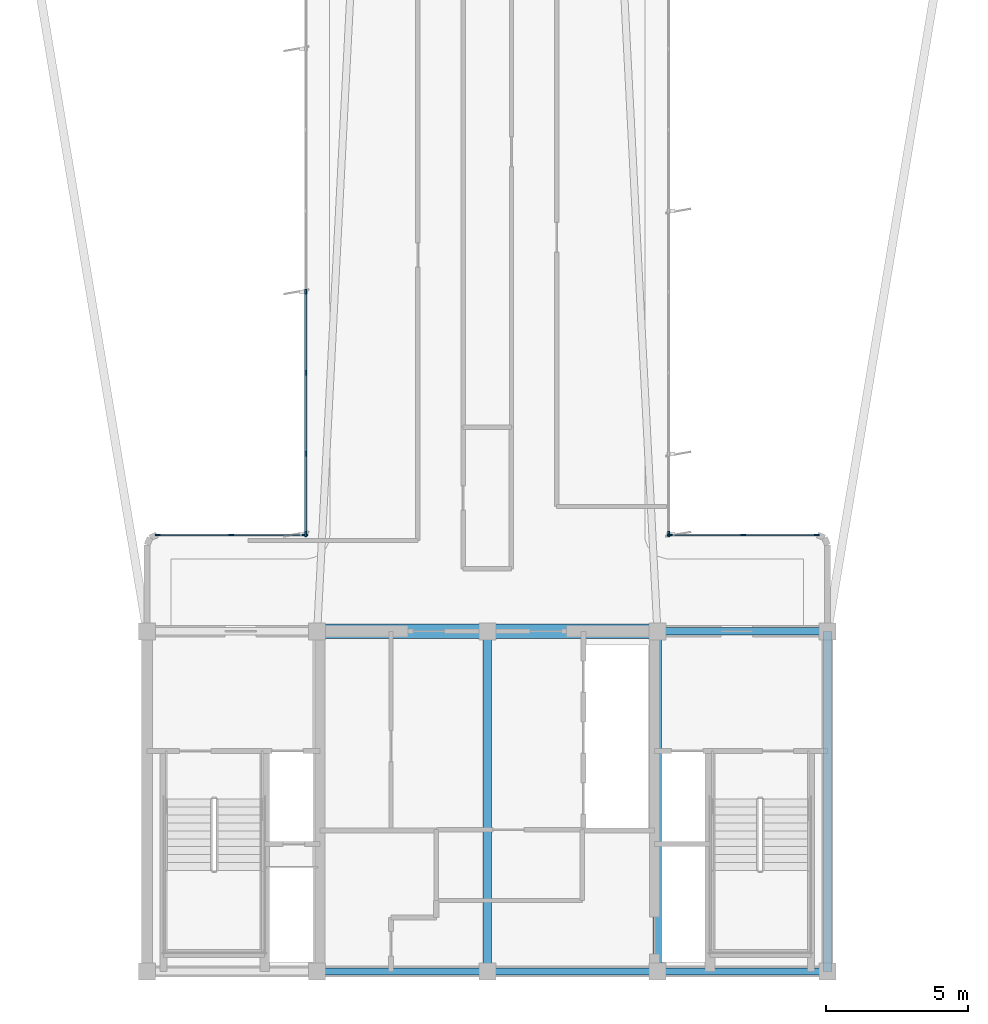
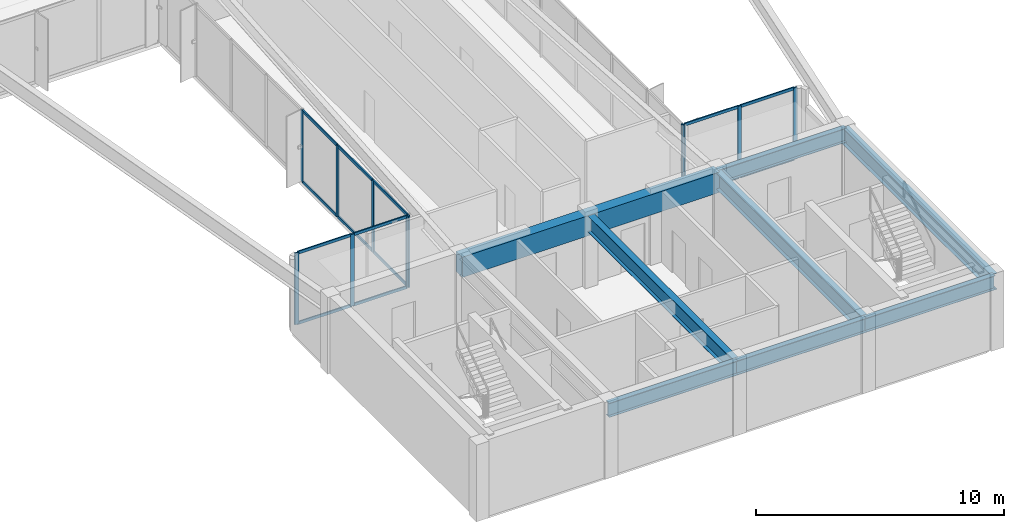
# One storey, part 2 of 16: 25 members, 8 beams, 4 elements without a shape of their own.
"""IFC4 building model written with IfcOpenShell, lengths in metres."""

from ifc_helpers import new_model, si_unit, direction, frame, origin, origin_2d, place, context, subcontext, project, spatial, rectangle, i_section, extrude, source, transform, mapped, material, layer, layer_set, material_profile, profile_set, type_object, element, aggregate, save


model = new_model("IFC4")

# Units and contexts
model_context = context("Model", 3, precision=1e-05, world=origin(), true_north=direction((0.0, 1.0)))
body_context = subcontext(model_context, "Body", "Model", "MODEL_VIEW")
ifc_project = project(units=[si_unit("LENGTHUNIT", "METRE"), si_unit("AREAUNIT", "SQUARE_METRE"), si_unit("VOLUMEUNIT", "CUBIC_METRE"), si_unit("PLANEANGLEUNIT", "RADIAN"), si_unit("MASSUNIT", "GRAM", prefix="KILO")], contexts=[model_context])

# Site, building, storey
site_placement = place(None, origin())
site = spatial("IfcSite", under=ifc_project, at=site_placement, CompositionType="ELEMENT")
building_placement = place(site_placement, origin())
building = spatial("IfcBuilding", under=site, at=building_placement, Name="Brelvock Crest Care Tower", CompositionType="ELEMENT")
storey_placement = place(building_placement, frame((0.0, 0.0, 226.800048828125)))
storey = spatial("IfcBuildingStorey", under=building, at=storey_placement, Name="L57", CompositionType="ELEMENT", Elevation=226.800048828125)

# Beams
ifc_material_1 = material(Name="Steel Grade 350", Category="steel")
ifc_material_profile_1 = material_profile(ifc_material_1, i_section(OverallWidth=0.25, OverallDepth=0.699951171875, WebThickness=0.011962890625, FlangeThickness=0.02001953125, at=origin_2d()), Name="700WB150")
ifc_profile_set_1 = profile_set([ifc_material_profile_1], Name="Steel Grade 350")
beam_type_1 = type_object("IfcBeamType", Name="BM-G4", PredefinedType="BEAM", material=ifc_profile_set_1)
shared_shape_1 = source(origin(), body_context, "Body", "SweptSolid", [
    extrude(i_section(OverallWidth=0.25, OverallDepth=0.699951171875, WebThickness=0.011962890625, FlangeThickness=0.02001953125, at=origin_2d()), origin(), (0.0, 0.0, 1.0), 6.0),
])
for number, where, z_axis, x_axis, name in (
    (1, (30.0, 6.0, 3.179931640625), (1.0, 0.0, 0.0), (0.0, 1.0, 0.0), "BM-CORES-L57-2"),
    (2, (36.0, 6.0, 3.179931640625), (1.0, 0.0, 0.0), (0.0, 1.0, 0.0), "BM-CORES-L57-3"),
    (3, (42.0, 6.0, 3.179931640625), (1.0, 0.0, 0.0), (0.0, 1.0, 0.0), "BM-CORES-L57-4"),
    (4, (42.0, 18.0, 3.179931640625), (1.0, 0.0, 0.0), (0.0, 1.0, 0.0), "BM-COREN-L57-4"),
):
    element("IfcBeam", number, at=place(storey_placement, frame(where, z_axis=z_axis, x_axis=x_axis)), inside=storey, type_object=beam_type_1, Name=name, PredefinedType="BEAM", context=body_context, shape_type="MappedRepresentation", body=[
        mapped(shared_shape_1, transform((0.0, 0.0, 0.0), x_axis=(1.0, 0.0, 0.0), y_axis=(0.0, 1.0, 0.0), z_axis=(0.0, 0.0, 1.0), scale=1.0)),
    ])
ifc_material_profile_2 = material_profile(ifc_material_1, i_section(OverallWidth=0.300048828125, OverallDepth=0.800048828125, WebThickness=0.013916015625, FlangeThickness=0.02197265625, at=origin_2d()), Name="800WB192")
ifc_profile_set_2 = profile_set([ifc_material_profile_2], Name="Steel Grade 350")
beam_type_2 = type_object("IfcBeamType", Name="BM-G5", PredefinedType="BEAM", material=ifc_profile_set_2)
shared_shape_2 = source(origin(), body_context, "Body", "SweptSolid", [
    extrude(i_section(OverallWidth=0.300048828125, OverallDepth=0.800048828125, WebThickness=0.013916015625, FlangeThickness=0.02197265625, at=origin_2d()), origin(), (0.0, 0.0, 1.0), 12.0),
])
for number, where, z_axis, x_axis, name in (
    (5, (36.0, 6.0, 3.1298828125), (0.0, 1.0, 0.0), (-1.0, 0.0, 0.0), "BM-COREX-L57-3"),
    (6, (42.0, 6.0, 3.1298828125), (0.0, 1.0, 0.0), (-1.0, 0.0, 0.0), "BM-COREX-L57-4"),
    (7, (48.0, 6.0, 3.1298828125), (0.0, 1.0, 0.0), (-1.0, 0.0, 0.0), "BM-COREX-L57-5"),
):
    element("IfcBeam", number, at=place(storey_placement, frame(where, z_axis=z_axis, x_axis=x_axis)), inside=storey, type_object=beam_type_2, Name=name, PredefinedType="BEAM", context=body_context, shape_type="MappedRepresentation", body=[
        mapped(shared_shape_2, transform((0.0, 0.0, 0.0), x_axis=(1.0, 0.0, 0.0), y_axis=(0.0, 1.0, 0.0), z_axis=(0.0, 0.0, 1.0), scale=1.0)),
    ])
ifc_material_2 = material(Name="Concrete S65 (65 MPa)", Category="concrete")
ifc_material_profile_3 = material_profile(ifc_material_2, rectangle(XDim=0.5, YDim=1.0, at=origin_2d()), Name="RC500x1000")
ifc_profile_set_3 = profile_set([ifc_material_profile_3], Name="Concrete S65 (65 MPa)")
beam_type_3 = type_object("IfcBeamType", Name="BM-LN2", PredefinedType="LINTEL", material=ifc_profile_set_3)
shared_shape_3 = source(origin(), body_context, "Body", "SweptSolid", [
    extrude(rectangle(XDim=0.5, YDim=1.0, at=origin_2d()), origin(), (0.0, 0.0, 1.0), 12.0),
])
beam_placement = place(storey_placement, frame((30.0, 18.0, 3.030029296875), z_axis=(1.0, 0.0, 0.0), x_axis=(0.0, 1.0, 0.0)))
element("IfcBeam", 8, at=beam_placement, inside=storey, type_object=beam_type_3, Name="L57 Core Coupling Lintel Beam", PredefinedType="LINTEL", context=body_context, shape_type="MappedRepresentation", body=[
    mapped(shared_shape_3, transform((0.0, 0.0, 0.0), x_axis=(1.0, 0.0, 0.0), y_axis=(0.0, 1.0, 0.0), z_axis=(0.0, 0.0, 1.0), scale=1.0)),
])

# Curtain wall, members
ifc_material_3 = material(Name="Dark Glass Double Glazed Low-E", Category="glass")
ifc_layer = layer(ifc_material_3, 0.239990234375, Name="CWS-5")
ifc_layer_set = layer_set([ifc_layer], Name="Dark Glass Double Glazed Low-E")
curtain_wall_type = type_object("IfcCurtainWallType", Name="CWS-5", PredefinedType="NOTDEFINED", material=ifc_layer_set)
curtain_wall_1_placement = place(storey_placement, origin())
curtain_wall_1 = element("IfcCurtainWall", 9, at=curtain_wall_1_placement, inside=storey, type_object=curtain_wall_type, Name="L57 Curtain Wall E10", PredefinedType="NOTDEFINED")
ifc_material_4 = material(Name="Aluminium 6063-T6", Category="aluminium")
ifc_material_profile_4 = material_profile(ifc_material_4, rectangle(XDim=0.06005859375, YDim=0.179931640625, at=origin_2d()), Name="ALU60x180")
ifc_profile_set_4 = profile_set([ifc_material_profile_4], Name="Aluminium 6063-T6")
member_type_1 = type_object("IfcMemberType", Name="CWM-2", PredefinedType="MULLION", material=ifc_profile_set_4)
shared_shape_4 = source(origin(), body_context, "Body", "SweptSolid", [
    extrude(rectangle(XDim=0.06005859375, YDim=0.179931640625, at=origin_2d()), origin(), (0.0, 0.0, 1.0), 3.530029296875),
])
member_1_placement = place(storey_placement, frame((24.3798828125, 21.39990234375, 0.0), z_axis=(0.0, 0.0, 1.0), x_axis=(0.0, 1.0, 0.0)))
member_1 = element("IfcMember", 10, at=member_1_placement, type_object=member_type_1, Name="CW-5 mullion 1", PredefinedType="MULLION", context=body_context, shape_type="MappedRepresentation", body=[
    mapped(shared_shape_4, transform((0.0, 0.0, 0.0), x_axis=(1.0, 0.0, 0.0), y_axis=(0.0, 1.0, 0.0), z_axis=(0.0, 0.0, 1.0), scale=1.0)),
])
member_2_placement = place(storey_placement, frame((26.97509765625, 21.39990234375, 0.0), z_axis=(0.0, 0.0, 1.0), x_axis=(0.0, 1.0, 0.0)))
member_2 = element("IfcMember", 11, at=member_2_placement, type_object=member_type_1, Name="CW-5 mullion 2", PredefinedType="MULLION", context=body_context, shape_type="MappedRepresentation", body=[
    mapped(shared_shape_4, transform((0.0, 0.0, 0.0), x_axis=(1.0, 0.0, 0.0), y_axis=(0.0, 1.0, 0.0), z_axis=(0.0, 0.0, 1.0), scale=1.0)),
])
member_3_placement = place(storey_placement, frame((29.570068359375, 21.39990234375, 0.0), z_axis=(0.0, 0.0, 1.0), x_axis=(0.0, 1.0, 0.0)))
member_3 = element("IfcMember", 12, at=member_3_placement, type_object=member_type_1, Name="CW-5 mullion 3", PredefinedType="MULLION", context=body_context, shape_type="MappedRepresentation", body=[
    mapped(shared_shape_4, transform((0.0, 0.0, 0.0), x_axis=(1.0, 0.0, 0.0), y_axis=(0.0, 1.0, 0.0), z_axis=(0.0, 0.0, 1.0), scale=1.0)),
])

curtain_wall_2_placement = place(storey_placement, origin())
curtain_wall_2 = element("IfcCurtainWall", 13, at=curtain_wall_2_placement, inside=storey, type_object=curtain_wall_type, Name="L57 Curtain Wall E11", PredefinedType="NOTDEFINED")
member_4_placement = place(storey_placement, frame((29.60009765625, 21.429931640625, 0.0), z_axis=(0.0, 0.0, 1.0), x_axis=(-1.0, 0.0, 0.0)))
member_4 = element("IfcMember", 14, at=member_4_placement, type_object=member_type_1, Name="CW-5 mullion 1", PredefinedType="MULLION", context=body_context, shape_type="MappedRepresentation", body=[
    mapped(shared_shape_4, transform((0.0, 0.0, 0.0), x_axis=(1.0, 0.0, 0.0), y_axis=(0.0, 1.0, 0.0), z_axis=(0.0, 0.0, 1.0), scale=1.0)),
])
member_5_placement = place(storey_placement, frame((29.60009765625, 24.257080078125, 0.0), z_axis=(0.0, 0.0, 1.0), x_axis=(-1.0, 0.0, 0.0)))
member_5 = element("IfcMember", 15, at=member_5_placement, type_object=member_type_1, Name="CW-5 mullion 2", PredefinedType="MULLION", context=body_context, shape_type="MappedRepresentation", body=[
    mapped(shared_shape_4, transform((0.0, 0.0, 0.0), x_axis=(1.0, 0.0, 0.0), y_axis=(0.0, 1.0, 0.0), z_axis=(0.0, 0.0, 1.0), scale=1.0)),
])
member_6_placement = place(storey_placement, frame((29.60009765625, 27.1142578125, 0.0), z_axis=(0.0, 0.0, 1.0), x_axis=(-1.0, 0.0, 0.0)))
member_6 = element("IfcMember", 16, at=member_6_placement, type_object=member_type_1, Name="CW-5 mullion 3", PredefinedType="MULLION", context=body_context, shape_type="MappedRepresentation", body=[
    mapped(shared_shape_4, transform((0.0, 0.0, 0.0), x_axis=(1.0, 0.0, 0.0), y_axis=(0.0, 1.0, 0.0), z_axis=(0.0, 0.0, 1.0), scale=1.0)),
])
member_7_placement = place(storey_placement, frame((29.60009765625, 29.971435546875, 0.0), z_axis=(0.0, 0.0, 1.0), x_axis=(-1.0, 0.0, 0.0)))
member_7 = element("IfcMember", 17, at=member_7_placement, type_object=member_type_1, Name="CW-5 mullion 4", PredefinedType="MULLION", context=body_context, shape_type="MappedRepresentation", body=[
    mapped(shared_shape_4, transform((0.0, 0.0, 0.0), x_axis=(1.0, 0.0, 0.0), y_axis=(0.0, 1.0, 0.0), z_axis=(0.0, 0.0, 1.0), scale=1.0)),
])

# Curtain wall, member
curtain_wall_3_placement = place(storey_placement, origin())
curtain_wall_3 = element("IfcCurtainWall", 18, at=curtain_wall_3_placement, inside=storey, type_object=curtain_wall_type, Name="L57 Curtain Wall E45", PredefinedType="NOTDEFINED")
member_8_placement = place(storey_placement, frame((42.39990234375, 21.429931640625, 0.0), z_axis=(0.0, 0.0, 1.0), x_axis=(1.0, 0.0, 0.0)))
member_8 = element("IfcMember", 19, at=member_8_placement, type_object=member_type_1, Name="CW-5 mullion 8", PredefinedType="MULLION", context=body_context, shape_type="MappedRepresentation", body=[
    mapped(shared_shape_4, transform((0.0, 0.0, 0.0), x_axis=(1.0, 0.0, 0.0), y_axis=(0.0, 1.0, 0.0), z_axis=(0.0, 0.0, 1.0), scale=1.0)),
])
aggregate(curtain_wall_3, [member_8])

# Curtain wall, members
curtain_wall_4_placement = place(storey_placement, origin())
curtain_wall_4 = element("IfcCurtainWall", 20, at=curtain_wall_4_placement, inside=storey, type_object=curtain_wall_type, Name="L57 Curtain Wall E46", PredefinedType="NOTDEFINED")
member_9_placement = place(storey_placement, frame((42.429931640625, 21.39990234375, 0.0), z_axis=(0.0, 0.0, 1.0), x_axis=(0.0, 1.0, 0.0)))
member_9 = element("IfcMember", 21, at=member_9_placement, type_object=member_type_1, Name="CW-5 mullion 1", PredefinedType="MULLION", context=body_context, shape_type="MappedRepresentation", body=[
    mapped(shared_shape_4, transform((0.0, 0.0, 0.0), x_axis=(1.0, 0.0, 0.0), y_axis=(0.0, 1.0, 0.0), z_axis=(0.0, 0.0, 1.0), scale=1.0)),
])
member_10_placement = place(storey_placement, frame((45.02490234375, 21.39990234375, 0.0), z_axis=(0.0, 0.0, 1.0), x_axis=(0.0, 1.0, 0.0)))
member_10 = element("IfcMember", 22, at=member_10_placement, type_object=member_type_1, Name="CW-5 mullion 2", PredefinedType="MULLION", context=body_context, shape_type="MappedRepresentation", body=[
    mapped(shared_shape_4, transform((0.0, 0.0, 0.0), x_axis=(1.0, 0.0, 0.0), y_axis=(0.0, 1.0, 0.0), z_axis=(0.0, 0.0, 1.0), scale=1.0)),
])
member_11_placement = place(storey_placement, frame((47.6201171875, 21.39990234375, 0.0), z_axis=(0.0, 0.0, 1.0), x_axis=(0.0, 1.0, 0.0)))
member_11 = element("IfcMember", 23, at=member_11_placement, type_object=member_type_1, Name="CW-5 mullion 3", PredefinedType="MULLION", context=body_context, shape_type="MappedRepresentation", body=[
    mapped(shared_shape_4, transform((0.0, 0.0, 0.0), x_axis=(1.0, 0.0, 0.0), y_axis=(0.0, 1.0, 0.0), z_axis=(0.0, 0.0, 1.0), scale=1.0)),
])

# Member
ifc_material_profile_5 = material_profile(ifc_material_4, rectangle(XDim=0.06005859375, YDim=0.139892578125, at=origin_2d()), Name="ALU60x140")
ifc_profile_set_5 = profile_set([ifc_material_profile_5], Name="Aluminium 6063-T6")
member_type_2 = type_object("IfcMemberType", Name="CWT-2", PredefinedType="USERDEFINED", material=ifc_profile_set_5)
shared_shape_5 = source(origin(), body_context, "Body", "SweptSolid", [
    extrude(rectangle(XDim=0.06005859375, YDim=0.139892578125, at=origin_2d()), origin(), (0.0, 0.0, 1.0), 2.53515625),
])
member_12_placement = place(storey_placement, frame((24.409912109375, 21.39990234375, 0.030029296875), z_axis=(1.0, 0.0, 0.0), x_axis=(0.0, 1.0, 0.0)))
member_12 = element("IfcMember", 24, at=member_12_placement, type_object=member_type_2, Name="CW-5 transom 1.1", ObjectType="TRANSOM", PredefinedType="USERDEFINED", context=body_context, shape_type="MappedRepresentation", body=[
    mapped(shared_shape_5, transform((0.0, 0.0, 0.0), x_axis=(1.0, 0.0, 0.0), y_axis=(0.0, 1.0, 0.0), z_axis=(0.0, 0.0, 1.0), scale=1.0)),
])

member_13_placement = place(storey_placement, frame((24.409912109375, 21.39990234375, 3.5), z_axis=(1.0, 0.0, 0.0), x_axis=(0.0, 1.0, 0.0)))
member_13 = element("IfcMember", 25, at=member_13_placement, type_object=member_type_2, Name="CW-5 transom 1.2", ObjectType="TRANSOM", PredefinedType="USERDEFINED", context=body_context, shape_type="MappedRepresentation", body=[
    mapped(shared_shape_5, transform((0.0, 0.0, 0.0), x_axis=(1.0, 0.0, 0.0), y_axis=(0.0, 1.0, 0.0), z_axis=(0.0, 0.0, 1.0), scale=1.0)),
])

member_14_placement = place(storey_placement, frame((27.0048828125, 21.39990234375, 0.030029296875), z_axis=(1.0, 0.0, 0.0), x_axis=(0.0, 1.0, 0.0)))
member_14 = element("IfcMember", 26, at=member_14_placement, type_object=member_type_2, Name="CW-5 transom 2.1", ObjectType="TRANSOM", PredefinedType="USERDEFINED", context=body_context, shape_type="MappedRepresentation", body=[
    mapped(shared_shape_5, transform((0.0, 0.0, 0.0), x_axis=(1.0, 0.0, 0.0), y_axis=(0.0, 1.0, 0.0), z_axis=(0.0, 0.0, 1.0), scale=1.0)),
])

member_15_placement = place(storey_placement, frame((27.0048828125, 21.39990234375, 3.5), z_axis=(1.0, 0.0, 0.0), x_axis=(0.0, 1.0, 0.0)))
member_15 = element("IfcMember", 27, at=member_15_placement, type_object=member_type_2, Name="CW-5 transom 2.2", ObjectType="TRANSOM", PredefinedType="USERDEFINED", context=body_context, shape_type="MappedRepresentation", body=[
    mapped(shared_shape_5, transform((0.0, 0.0, 0.0), x_axis=(1.0, 0.0, 0.0), y_axis=(0.0, 1.0, 0.0), z_axis=(0.0, 0.0, 1.0), scale=1.0)),
])

aggregate(curtain_wall_1, [member_1, member_2, member_3, member_12, member_13, member_14, member_15])

member_16_placement = place(storey_placement, frame((42.4599609375, 21.39990234375, 0.030029296875), z_axis=(1.0, 0.0, 0.0), x_axis=(0.0, 1.0, 0.0)))
member_16 = element("IfcMember", 28, at=member_16_placement, type_object=member_type_2, Name="CW-5 transom 1.1", ObjectType="TRANSOM", PredefinedType="USERDEFINED", context=body_context, shape_type="MappedRepresentation", body=[
    mapped(shared_shape_5, transform((0.0, 0.0, 0.0), x_axis=(1.0, 0.0, 0.0), y_axis=(0.0, 1.0, 0.0), z_axis=(0.0, 0.0, 1.0), scale=1.0)),
])

member_17_placement = place(storey_placement, frame((42.4599609375, 21.39990234375, 3.5), z_axis=(1.0, 0.0, 0.0), x_axis=(0.0, 1.0, 0.0)))
member_17 = element("IfcMember", 29, at=member_17_placement, type_object=member_type_2, Name="CW-5 transom 1.2", ObjectType="TRANSOM", PredefinedType="USERDEFINED", context=body_context, shape_type="MappedRepresentation", body=[
    mapped(shared_shape_5, transform((0.0, 0.0, 0.0), x_axis=(1.0, 0.0, 0.0), y_axis=(0.0, 1.0, 0.0), z_axis=(0.0, 0.0, 1.0), scale=1.0)),
])

member_18_placement = place(storey_placement, frame((45.054931640625, 21.39990234375, 0.030029296875), z_axis=(1.0, 0.0, 0.0), x_axis=(0.0, 1.0, 0.0)))
member_18 = element("IfcMember", 30, at=member_18_placement, type_object=member_type_2, Name="CW-5 transom 2.1", ObjectType="TRANSOM", PredefinedType="USERDEFINED", context=body_context, shape_type="MappedRepresentation", body=[
    mapped(shared_shape_5, transform((0.0, 0.0, 0.0), x_axis=(1.0, 0.0, 0.0), y_axis=(0.0, 1.0, 0.0), z_axis=(0.0, 0.0, 1.0), scale=1.0)),
])

member_19_placement = place(storey_placement, frame((45.054931640625, 21.39990234375, 3.5), z_axis=(1.0, 0.0, 0.0), x_axis=(0.0, 1.0, 0.0)))
member_19 = element("IfcMember", 31, at=member_19_placement, type_object=member_type_2, Name="CW-5 transom 2.2", ObjectType="TRANSOM", PredefinedType="USERDEFINED", context=body_context, shape_type="MappedRepresentation", body=[
    mapped(shared_shape_5, transform((0.0, 0.0, 0.0), x_axis=(1.0, 0.0, 0.0), y_axis=(0.0, 1.0, 0.0), z_axis=(0.0, 0.0, 1.0), scale=1.0)),
])

aggregate(curtain_wall_4, [member_9, member_10, member_11, member_16, member_17, member_18, member_19])

shared_shape_6 = source(origin(), body_context, "Body", "SweptSolid", [
    extrude(rectangle(XDim=0.06005859375, YDim=0.139892578125, at=origin_2d()), origin(), (0.0, 0.0, 1.0), 2.76708984375),
])
member_20_placement = place(storey_placement, frame((29.60009765625, 21.4599609375, 0.030029296875), z_axis=(0.0, 1.0, 0.0), x_axis=(-1.0, 0.0, 0.0)))
member_20 = element("IfcMember", 32, at=member_20_placement, type_object=member_type_2, Name="CW-5 transom 1.1", ObjectType="TRANSOM", PredefinedType="USERDEFINED", context=body_context, shape_type="MappedRepresentation", body=[
    mapped(shared_shape_6, transform((0.0, 0.0, 0.0), x_axis=(1.0, 0.0, 0.0), y_axis=(0.0, 1.0, 0.0), z_axis=(0.0, 0.0, 1.0), scale=1.0)),
])

member_21_placement = place(storey_placement, frame((29.60009765625, 21.4599609375, 3.5), z_axis=(0.0, 1.0, 0.0), x_axis=(-1.0, 0.0, 0.0)))
member_21 = element("IfcMember", 33, at=member_21_placement, type_object=member_type_2, Name="CW-5 transom 1.2", ObjectType="TRANSOM", PredefinedType="USERDEFINED", context=body_context, shape_type="MappedRepresentation", body=[
    mapped(shared_shape_6, transform((0.0, 0.0, 0.0), x_axis=(1.0, 0.0, 0.0), y_axis=(0.0, 1.0, 0.0), z_axis=(0.0, 0.0, 1.0), scale=1.0)),
])

shared_shape_7 = source(origin(), body_context, "Body", "SweptSolid", [
    extrude(rectangle(XDim=0.06005859375, YDim=0.139892578125, at=origin_2d()), origin(), (0.0, 0.0, 1.0), 2.797119140625),
])
member_22_placement = place(storey_placement, frame((29.60009765625, 24.287109375, 0.030029296875), z_axis=(0.0, 1.0, 0.0), x_axis=(-1.0, 0.0, 0.0)))
member_22 = element("IfcMember", 34, at=member_22_placement, type_object=member_type_2, Name="CW-5 transom 2.1", ObjectType="TRANSOM", PredefinedType="USERDEFINED", context=body_context, shape_type="MappedRepresentation", body=[
    mapped(shared_shape_7, transform((0.0, 0.0, 0.0), x_axis=(1.0, 0.0, 0.0), y_axis=(0.0, 1.0, 0.0), z_axis=(0.0, 0.0, 1.0), scale=1.0)),
])

member_23_placement = place(storey_placement, frame((29.60009765625, 24.287109375, 3.5), z_axis=(0.0, 1.0, 0.0), x_axis=(-1.0, 0.0, 0.0)))
member_23 = element("IfcMember", 35, at=member_23_placement, type_object=member_type_2, Name="CW-5 transom 2.2", ObjectType="TRANSOM", PredefinedType="USERDEFINED", context=body_context, shape_type="MappedRepresentation", body=[
    mapped(shared_shape_7, transform((0.0, 0.0, 0.0), x_axis=(1.0, 0.0, 0.0), y_axis=(0.0, 1.0, 0.0), z_axis=(0.0, 0.0, 1.0), scale=1.0)),
])

member_24_placement = place(storey_placement, frame((29.60009765625, 27.144287109375, 0.030029296875), z_axis=(0.0, 1.0, 0.0), x_axis=(-1.0, 0.0, 0.0)))
member_24 = element("IfcMember", 36, at=member_24_placement, type_object=member_type_2, Name="CW-5 transom 3.1", ObjectType="TRANSOM", PredefinedType="USERDEFINED", context=body_context, shape_type="MappedRepresentation", body=[
    mapped(shared_shape_7, transform((0.0, 0.0, 0.0), x_axis=(1.0, 0.0, 0.0), y_axis=(0.0, 1.0, 0.0), z_axis=(0.0, 0.0, 1.0), scale=1.0)),
])

member_25_placement = place(storey_placement, frame((29.60009765625, 27.144287109375, 3.5), z_axis=(0.0, 1.0, 0.0), x_axis=(-1.0, 0.0, 0.0)))
member_25 = element("IfcMember", 37, at=member_25_placement, type_object=member_type_2, Name="CW-5 transom 3.2", ObjectType="TRANSOM", PredefinedType="USERDEFINED", context=body_context, shape_type="MappedRepresentation", body=[
    mapped(shared_shape_7, transform((0.0, 0.0, 0.0), x_axis=(1.0, 0.0, 0.0), y_axis=(0.0, 1.0, 0.0), z_axis=(0.0, 0.0, 1.0), scale=1.0)),
])

aggregate(curtain_wall_2, [member_4, member_5, member_6, member_7, member_20, member_21, member_22, member_23, member_24, member_25])

save(model, "model.ifc")
